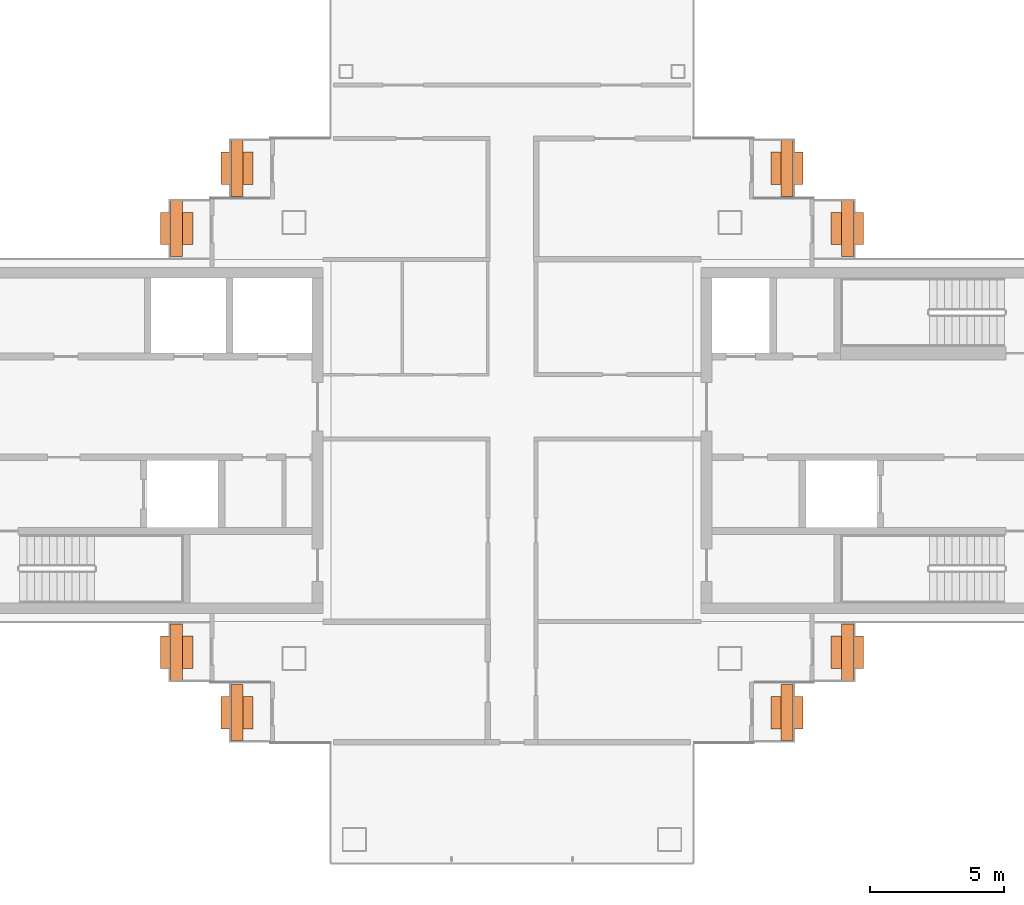
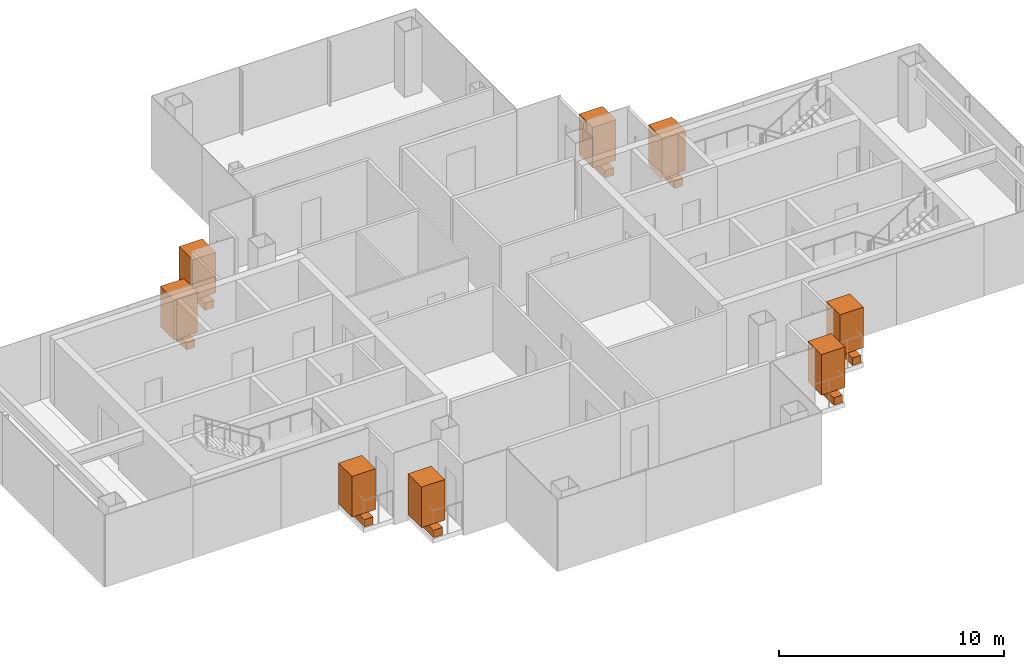
# One storey, part 17 of 17: 8 geographic elements, 8 proxies.
"""IFC4 building model written with IfcOpenShell, lengths in metres."""

from ifc_helpers import new_model, si_unit, direction, frame, origin, origin_2d, place, context, subcontext, project, spatial, rectangle, extrude, material, type_object, element, save


model = new_model("IFC4")

# Units and contexts
model_context = context("Model", 3, precision=1e-05, world=origin(), true_north=direction((0.0, 1.0)))
body_context = subcontext(model_context, "Body", "Model", "MODEL_VIEW")
ifc_project = project(units=[si_unit("LENGTHUNIT", "METRE"), si_unit("AREAUNIT", "SQUARE_METRE"), si_unit("VOLUMEUNIT", "CUBIC_METRE"), si_unit("PLANEANGLEUNIT", "RADIAN"), si_unit("MASSUNIT", "GRAM", prefix="KILO")], contexts=[model_context])

# Site, building, storey
site_placement = place(None, origin())
site = spatial("IfcSite", under=ifc_project, at=site_placement, CompositionType="ELEMENT")
building_placement = place(site_placement, origin())
building = spatial("IfcBuilding", under=site, at=building_placement, Name="Shamsa Quay Exchange Towers", CompositionType="ELEMENT")
storey_placement = place(building_placement, frame((0.0, 0.0, 230.39990234375)))
storey = spatial("IfcBuildingStorey", under=building, at=storey_placement, Name="L55", CompositionType="ELEMENT", Elevation=230.39990234375)

# Proxies
ifc_material_1 = material(Name="Reinforced concrete C30/37, black glass-fibre faced", Category="concrete")
building_element_proxy_type = type_object("IfcBuildingElementProxyType", Name="BALCONY PLANTER", PredefinedType="USERDEFINED", material=ifc_material_1)
for number, where, z_axis, x_axis, name in (
    (1, (23.5048828125, 10.14404296875, 0.000244140625), (0.0, 0.0, 1.0), (0.0, -1.0, 0.0), "PLANTER T2-PKEN L55"),
    (2, (21.2548828125, 7.89404296875, 0.000244140625), (0.0, 0.0, 1.0), (0.0, -1.0, 0.0), "PLANTER T2-PKEN L55"),
    (3, (43.9951171875, 10.14404296875, 0.000244140625), (0.0, 0.0, 1.0), (0.0, 1.0, 0.0), "PLANTER T2-PKES L55"),
    (4, (46.2451171875, 7.89404296875, 0.000244140625), (0.0, 0.0, 1.0), (0.0, 1.0, 0.0), "PLANTER T2-PKES L55"),
    (5, (21.2548828125, -7.89404296875, 0.000244140625), (0.0, 0.0, 1.0), (0.0, -1.0, 0.0), "PLANTER T2-PKWN L55"),
    (6, (23.5048828125, -10.14404296875, 0.000244140625), (0.0, 0.0, 1.0), (0.0, -1.0, 0.0), "PLANTER T2-PKWN L55"),
    (7, (43.9951171875, -10.14404296875, 0.000244140625), (0.0, 0.0, 1.0), (0.0, 1.0, 0.0), "PLANTER T2-PKWS L55"),
    (8, (46.2451171875, -7.89404296875, 0.000244140625), (0.0, 0.0, 1.0), (0.0, 1.0, 0.0), "PLANTER T2-PKWS L55"),
):
    element("IfcBuildingElementProxy", number, at=place(storey_placement, frame(where, z_axis=z_axis, x_axis=x_axis)), inside=storey, type_object=building_element_proxy_type, Name=name, ObjectType="PLANTER", PredefinedType="USERDEFINED", context=body_context, shape_type="SweptSolid", body=[
        extrude(rectangle(XDim=2.092041015625, YDim=0.449951171875, at=origin_2d()), origin(), (0.0, 0.0, 1.0), 0.39990234375),
    ])

# Geographic elements
ifc_material_2 = material(Name="Planting")
geographic_element_type = type_object("IfcGeographicElementType", Name="BALCONY TREE", PredefinedType="USERDEFINED", material=ifc_material_2)
for number, where, z_axis, x_axis, name in (
    (9, (23.5048828125, 10.14404296875, 0.39990234375), (0.0, 0.0, 1.0), (0.0, -1.0, 0.0), "TREE T2-PKEN L55"),
    (10, (21.2548828125, 7.89404296875, 0.39990234375), (0.0, 0.0, 1.0), (0.0, -1.0, 0.0), "TREE T2-PKEN L55"),
    (11, (43.9951171875, 10.14404296875, 0.39990234375), (0.0, 0.0, 1.0), (0.0, 1.0, 0.0), "TREE T2-PKES L55"),
    (12, (46.2451171875, 7.89404296875, 0.39990234375), (0.0, 0.0, 1.0), (0.0, 1.0, 0.0), "TREE T2-PKES L55"),
    (13, (21.2548828125, -7.89404296875, 0.39990234375), (0.0, 0.0, 1.0), (0.0, -1.0, 0.0), "TREE T2-PKWN L55"),
    (14, (23.5048828125, -10.14404296875, 0.39990234375), (0.0, 0.0, 1.0), (0.0, -1.0, 0.0), "TREE T2-PKWN L55"),
    (15, (43.9951171875, -10.14404296875, 0.39990234375), (0.0, 0.0, 1.0), (0.0, 1.0, 0.0), "TREE T2-PKWS L55"),
    (16, (46.2451171875, -7.89404296875, 0.39990234375), (0.0, 0.0, 1.0), (0.0, 1.0, 0.0), "TREE T2-PKWS L55"),
):
    element("IfcGeographicElement", number, at=place(storey_placement, frame(where, z_axis=z_axis, x_axis=x_axis)), inside=storey, type_object=geographic_element_type, Name=name, ObjectType="TREE", PredefinedType="USERDEFINED", context=body_context, shape_type="SweptSolid", body=[
        extrude(rectangle(XDim=1.199951171875, YDim=1.199951171875, at=origin_2d()), origin(), (0.0, 0.0, 1.0), 2.199951171875),
    ])

save(model, "model.ifc")
